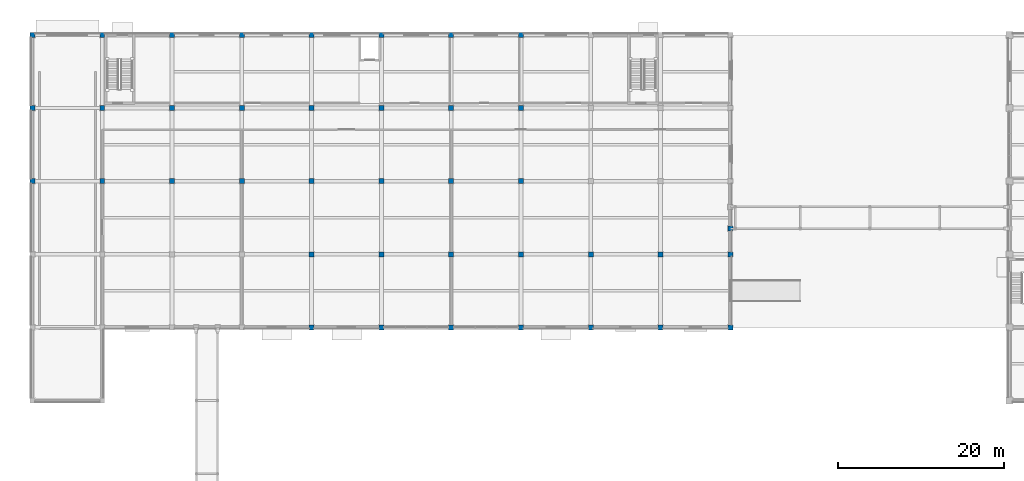
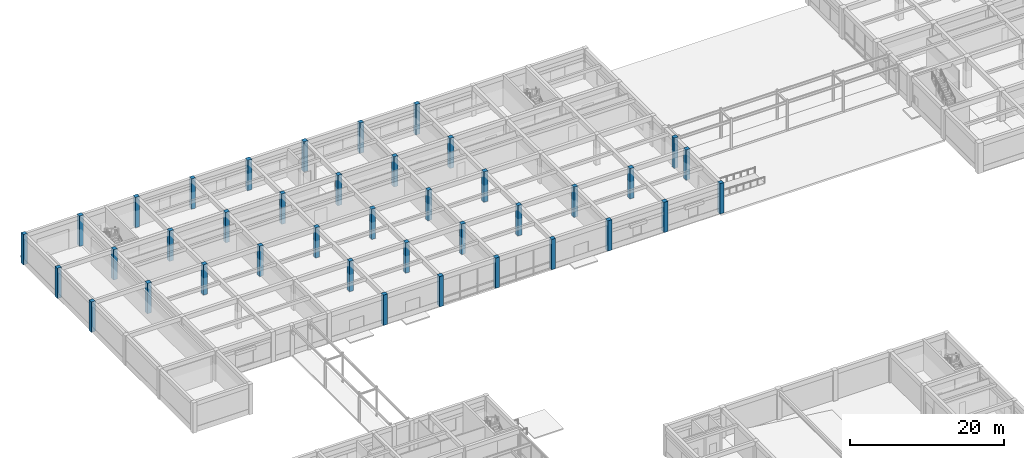
# One storey, part 7 of 58: 39 columns.
"""IFC4 building model written with IfcOpenShell, lengths in metres."""

from ifc_helpers import new_model, si_unit, direction, frame, origin, origin_2d, place, context, subcontext, project, spatial, rectangle, extrude, material, material_profile, profile_set, type_object, element, save


model = new_model("IFC4")

# Units and contexts
model_context = context("Model", 3, precision=1e-05, world=origin(), true_north=direction((0.0, 1.0)))
body_context = subcontext(model_context, "Body", "Model", "MODEL_VIEW")
ifc_project = project(units=[si_unit("LENGTHUNIT", "METRE"), si_unit("AREAUNIT", "SQUARE_METRE"), si_unit("VOLUMEUNIT", "CUBIC_METRE"), si_unit("PLANEANGLEUNIT", "RADIAN"), si_unit("MASSUNIT", "GRAM", prefix="KILO")], contexts=[model_context])

# Site, building, storey
site_placement = place(None, origin())
site = spatial("IfcSite", under=ifc_project, at=site_placement, CompositionType="ELEMENT")
building_placement = place(site_placement, origin())
building = spatial("IfcBuilding", under=site, at=building_placement, Name="Kemercrest Conservatory and Botanical Centre", CompositionType="ELEMENT")
storey_placement = place(building_placement, origin())
storey = spatial("IfcBuildingStorey", under=building, at=storey_placement, Name="L00", CompositionType="ELEMENT", Elevation=0.0)

# Columns
ifc_material = material(Name="Concrete C40/50", Category="concrete")
ifc_material_profile = material_profile(ifc_material, rectangle(XDim=0.60009765625, YDim=0.60009765625, at=origin_2d()), Name="RC 600x600")
ifc_profile_set = profile_set([ifc_material_profile], Name="Concrete C40/50")
column_type = type_object("IfcColumnType", Name="C-RC60", PredefinedType="COLUMN", material=ifc_profile_set)
for number, where, z_axis, x_axis, name in (
    (1, (8.0, 104.800048828125, 0.0), (0.0, 0.0, 1.0), (1.0, 0.0, 0.0), "Visitor Wing column 01/M"),
    (2, (8.0, 113.60009765625, 0.0), (0.0, 0.0, 1.0), (1.0, 0.0, 0.0), "Visitor Wing column 01/N"),
    (3, (8.0, 122.39990234375, 0.0), (0.0, 0.0, 1.0), (1.0, 0.0, 0.0), "Visitor Wing column 01/P"),
    (4, (16.39990234375, 104.800048828125, 0.0), (0.0, 0.0, 1.0), (1.0, 0.0, 0.0), "Visitor Wing column 02/M"),
    (5, (16.39990234375, 113.60009765625, 0.0), (0.0, 0.0, 1.0), (1.0, 0.0, 0.0), "Visitor Wing column 02/N"),
    (6, (16.39990234375, 122.39990234375, 0.0), (0.0, 0.0, 1.0), (1.0, 0.0, 0.0), "Visitor Wing column 02/P"),
    (7, (24.800048828125, 104.800048828125, 0.0), (0.0, 0.0, 1.0), (1.0, 0.0, 0.0), "Visitor Wing column 03/M"),
    (8, (24.800048828125, 113.60009765625, 0.0), (0.0, 0.0, 1.0), (1.0, 0.0, 0.0), "Visitor Wing column 03/N"),
    (9, (24.800048828125, 122.39990234375, 0.0), (0.0, 0.0, 1.0), (1.0, 0.0, 0.0), "Visitor Wing column 03/P"),
    (10, (33.199951171875, 104.800048828125, 0.0), (0.0, 0.0, 1.0), (1.0, 0.0, 0.0), "Visitor Wing column 04/M"),
    (11, (33.199951171875, 113.60009765625, 0.0), (0.0, 0.0, 1.0), (1.0, 0.0, 0.0), "Visitor Wing column 04/N"),
    (12, (33.199951171875, 122.39990234375, 0.0), (0.0, 0.0, 1.0), (1.0, 0.0, 0.0), "Visitor Wing column 04/P"),
    (13, (41.60009765625, 87.199951171875, 0.0), (0.0, 0.0, 1.0), (1.0, 0.0, 0.0), "Visitor Wing column 05/K"),
    (14, (41.60009765625, 96.0, 0.0), (0.0, 0.0, 1.0), (1.0, 0.0, 0.0), "Visitor Wing column 05/L"),
    (15, (41.60009765625, 104.800048828125, 0.0), (0.0, 0.0, 1.0), (1.0, 0.0, 0.0), "Visitor Wing column 05/M"),
    (16, (41.60009765625, 113.60009765625, 0.0), (0.0, 0.0, 1.0), (1.0, 0.0, 0.0), "Visitor Wing column 05/N"),
    (17, (41.60009765625, 122.39990234375, 0.0), (0.0, 0.0, 1.0), (1.0, 0.0, 0.0), "Visitor Wing column 05/P"),
    (18, (50.0, 87.199951171875, 0.0), (0.0, 0.0, 1.0), (1.0, 0.0, 0.0), "Visitor Wing column 06/K"),
    (19, (50.0, 96.0, 0.0), (0.0, 0.0, 1.0), (1.0, 0.0, 0.0), "Visitor Wing column 06/L"),
    (20, (50.0, 104.800048828125, 0.0), (0.0, 0.0, 1.0), (1.0, 0.0, 0.0), "Visitor Wing column 06/M"),
    (21, (50.0, 113.60009765625, 0.0), (0.0, 0.0, 1.0), (1.0, 0.0, 0.0), "Visitor Wing column 06/N"),
    (22, (50.0, 122.39990234375, 0.0), (0.0, 0.0, 1.0), (1.0, 0.0, 0.0), "Visitor Wing column 06/P"),
    (23, (58.39990234375, 87.199951171875, 0.0), (0.0, 0.0, 1.0), (1.0, 0.0, 0.0), "Visitor Wing column 07/K"),
    (24, (58.39990234375, 96.0, 0.0), (0.0, 0.0, 1.0), (1.0, 0.0, 0.0), "Visitor Wing column 07/L"),
    (25, (58.39990234375, 104.800048828125, 0.0), (0.0, 0.0, 1.0), (1.0, 0.0, 0.0), "Visitor Wing column 07/M"),
    (26, (58.39990234375, 113.60009765625, 0.0), (0.0, 0.0, 1.0), (1.0, 0.0, 0.0), "Visitor Wing column 07/N"),
    (27, (58.39990234375, 122.39990234375, 0.0), (0.0, 0.0, 1.0), (1.0, 0.0, 0.0), "Visitor Wing column 07/P"),
    (28, (66.800048828125, 87.199951171875, 0.0), (0.0, 0.0, 1.0), (1.0, 0.0, 0.0), "Visitor Wing column 08/K"),
    (29, (66.800048828125, 96.0, 0.0), (0.0, 0.0, 1.0), (1.0, 0.0, 0.0), "Visitor Wing column 08/L"),
    (30, (66.800048828125, 104.800048828125, 0.0), (0.0, 0.0, 1.0), (1.0, 0.0, 0.0), "Visitor Wing column 08/M"),
    (31, (66.800048828125, 113.60009765625, 0.0), (0.0, 0.0, 1.0), (1.0, 0.0, 0.0), "Visitor Wing column 08/N"),
    (32, (66.800048828125, 122.39990234375, 0.0), (0.0, 0.0, 1.0), (1.0, 0.0, 0.0), "Visitor Wing column 08/P"),
    (33, (75.199951171875, 87.199951171875, 0.0), (0.0, 0.0, 1.0), (1.0, 0.0, 0.0), "Visitor Wing column 09/K"),
    (34, (75.199951171875, 96.0, 0.0), (0.0, 0.0, 1.0), (1.0, 0.0, 0.0), "Visitor Wing column 09/L"),
    (35, (83.60009765625, 87.199951171875, 0.0), (0.0, 0.0, 1.0), (1.0, 0.0, 0.0), "Visitor Wing column 10/K"),
    (36, (83.60009765625, 96.0, 0.0), (0.0, 0.0, 1.0), (1.0, 0.0, 0.0), "Visitor Wing column 10/L"),
    (37, (92.0, 87.199951171875, 0.0), (0.0, 0.0, 1.0), (1.0, 0.0, 0.0), "Visitor Wing column 11/K"),
    (38, (92.0, 96.0, 0.0), (0.0, 0.0, 1.0), (1.0, 0.0, 0.0), "Visitor Wing column 11/L"),
    (39, (92.0, 99.10009765625, 0.0), (0.0, 0.0, 1.0), (1.0, 0.0, 0.0), "North Courtyard Covered Passage SJ-3 org pier column 1"),
):
    element("IfcColumn", number, at=place(storey_placement, frame(where, z_axis=z_axis, x_axis=x_axis)), inside=storey, type_object=column_type, Name=name, PredefinedType="COLUMN", context=body_context, shape_type="SweptSolid", body=[
        extrude(rectangle(XDim=0.60009765625, YDim=0.60009765625, at=origin_2d()), origin(), (0.0, 0.0, 1.0), 4.800048828125),
    ])

save(model, "model.ifc")
